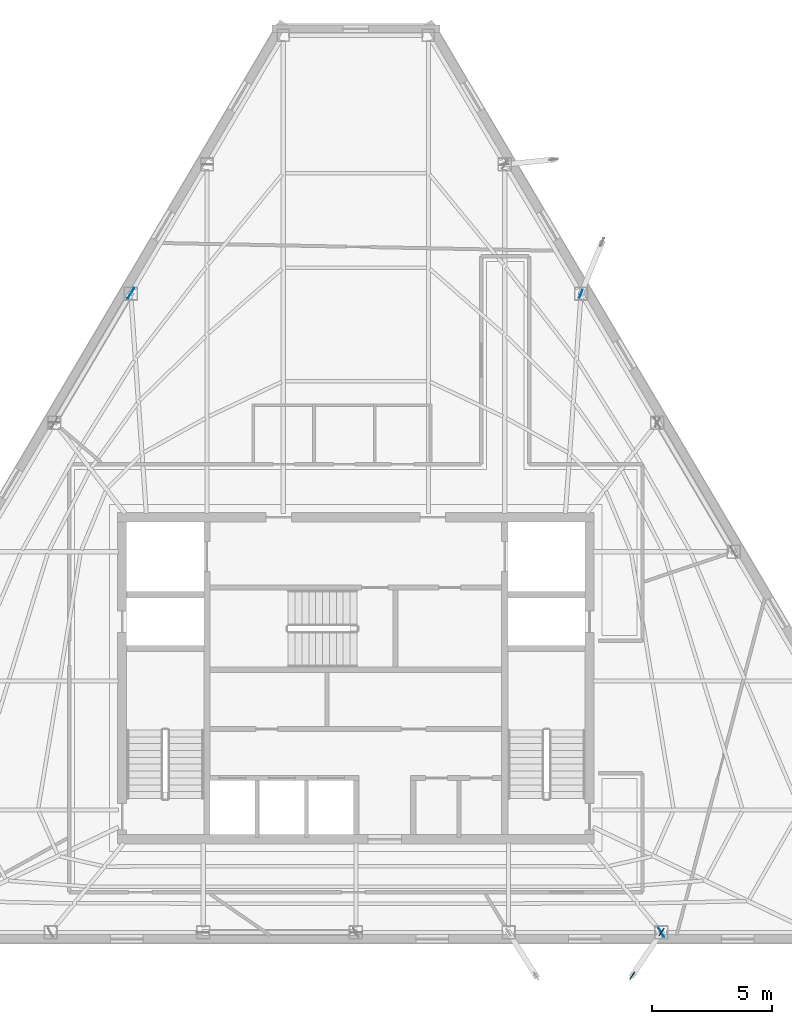
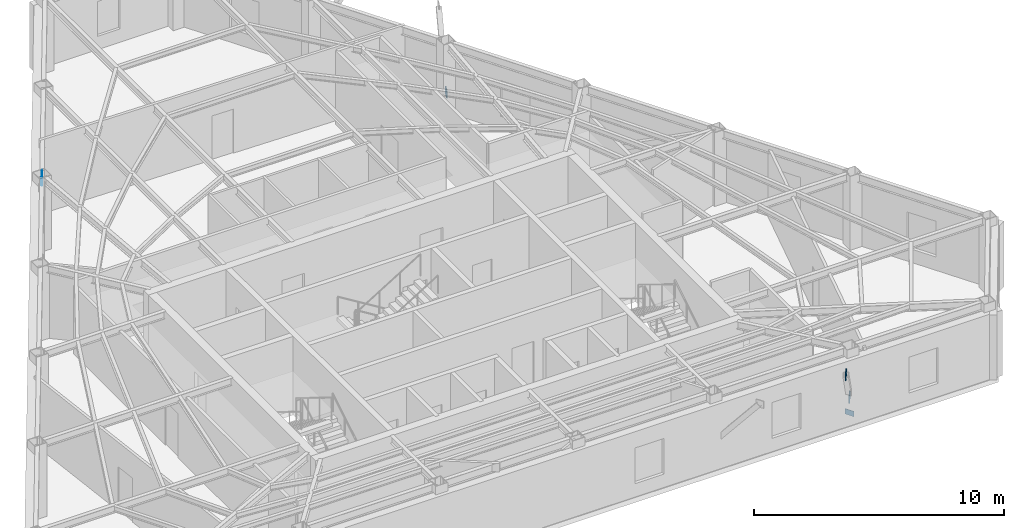
# One storey, part 5 of 10: 5 plates.
"""IFC4 building model written with IfcOpenShell, lengths in metres."""

from ifc_helpers import new_model, si_unit, direction, frame, origin, origin_2d, place, context, subcontext, project, spatial, rectangle, extrude, material, layer, layer_set, type_object, element, save


model = new_model("IFC4")

# Units and contexts
model_context = context("Model", 3, precision=1e-05, world=origin(), true_north=direction((0.0, 1.0)))
body_context = subcontext(model_context, "Body", "Model", "MODEL_VIEW")
ifc_project = project(units=[si_unit("LENGTHUNIT", "METRE"), si_unit("AREAUNIT", "SQUARE_METRE"), si_unit("VOLUMEUNIT", "CUBIC_METRE"), si_unit("PLANEANGLEUNIT", "RADIAN"), si_unit("MASSUNIT", "GRAM", prefix="KILO")], contexts=[model_context])

# Site, building, storey
site_placement = place(None, origin())
site = spatial("IfcSite", under=ifc_project, at=site_placement, CompositionType="ELEMENT")
building_placement = place(site_placement, origin())
building = spatial("IfcBuilding", under=site, at=building_placement, Name="Kavelnor Concourse Tower", CompositionType="ELEMENT")
storey_placement = place(building_placement, frame((0.0, 0.0, 274.14990234375)))
storey = spatial("IfcBuildingStorey", under=building, at=storey_placement, Name="L69", CompositionType="ELEMENT", Elevation=274.14990234375)

# Plates
ifc_material = material(Name="Steel Grade 350", Category="steel")
ifc_layer_1 = layer(ifc_material, 0.028076171875, Name="Steel Grade 350")
ifc_layer_set_1 = layer_set([ifc_layer_1], Name="Steel Grade 350")
plate_type_1 = type_object("IfcPlateType", Name="PL-GUSSET-FOLD", PredefinedType="USERDEFINED", material=ifc_layer_set_1)
for number, where, z_axis, x_axis, name in (
    (1, (50.6943359375, 5.546875, 0.8798828125), (0.0, 0.0, 1.0), (-0.556730641675, -0.830693079675, 0.0), "L69 Balcony Strut Gusset GP4 1-B End Gusset A"),
    (2, (49.481689453125, 3.7373046875, 3.48486328125), (0.0, 0.0, 1.0), (-0.556730641675, -0.830693079675, 0.0), "L69 Balcony Strut Gusset GP4 1-B End Gusset B"),
    (3, (47.3505859375, 32.072265625, 0.8798828125), (0.0, 0.0, 1.0), (0.380586232965, 0.924745434851, 0.0), "L69 Balcony Strut Gusset GP4 2-A End Gusset A"),
):
    element("IfcPlate", number, at=place(storey_placement, frame(where, z_axis=z_axis, x_axis=x_axis)), inside=storey, type_object=plate_type_1, Name=name, ObjectType="GUSSET_PLATE", PredefinedType="USERDEFINED", context=body_context, shape_type="SweptSolid", body=[
        extrude(rectangle(XDim=0.360107421875, YDim=0.028076171875, at=origin_2d()), origin(), (0.0, 0.0, 1.0), 0.340087890625),
    ])
ifc_layer_2 = layer(ifc_material, 0.031982421875, Name="Steel Grade 350")
ifc_layer_set_2 = layer_set([ifc_layer_2], Name="Steel Grade 350")
plate_type_2 = type_object("IfcPlateType", Name="PL-GUSSET-TUBE-Z1", PredefinedType="USERDEFINED", material=ifc_layer_set_2)
plate_1_placement = place(storey_placement, frame((28.65087890625, 32.09375, 3.197021484375), z_axis=(0.0, 0.0, 1.0), x_axis=(0.508740929096, 0.860919663536, 0.0)))
element("IfcPlate", 4, at=plate_1_placement, inside=storey, type_object=plate_type_2, Name="L69 Tube Brace Gusset GP3 F0-B2 End Gusset B", ObjectType="GUSSET_PLATE", PredefinedType="USERDEFINED", context=body_context, shape_type="SweptSolid", body=[
    extrude(rectangle(XDim=0.52001953125, YDim=0.031982421875, at=origin_2d()), origin(), (0.0, 0.0, 1.0), 0.419921875),
])
ifc_layer_3 = layer(ifc_material, 0.02490234375, Name="Steel Grade 350")
ifc_layer_set_3 = layer_set([ifc_layer_3], Name="Steel Grade 350")
plate_type_3 = type_object("IfcPlateType", Name="PL-SPLICE-FLANGE", PredefinedType="SHEET", material=ifc_layer_set_3)
plate_2_placement = place(storey_placement, frame((50.6875, 5.536865234375, 0.169921875), z_axis=(0.0, 0.0, 1.0), x_axis=(-0.5, 0.866025403784, 0.0)))
element("IfcPlate", 5, at=plate_2_placement, inside=storey, type_object=plate_type_3, Name="L69 Column Flange Splice Plate F1-B5", PredefinedType="SHEET", context=body_context, shape_type="SweptSolid", body=[
    extrude(rectangle(XDim=0.419921875, YDim=0.02490234375, at=origin_2d()), origin(), (0.0, 0.0, 1.0), 0.260009765625),
])

save(model, "model.ifc")
